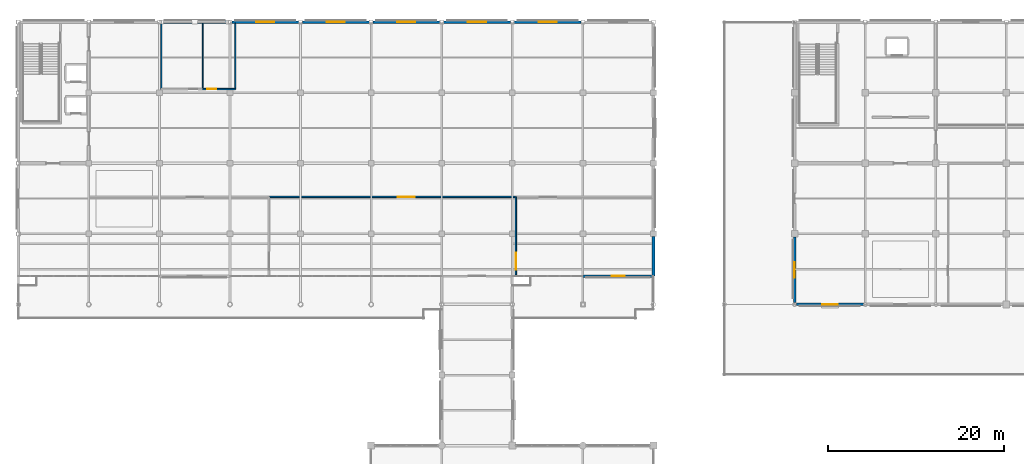
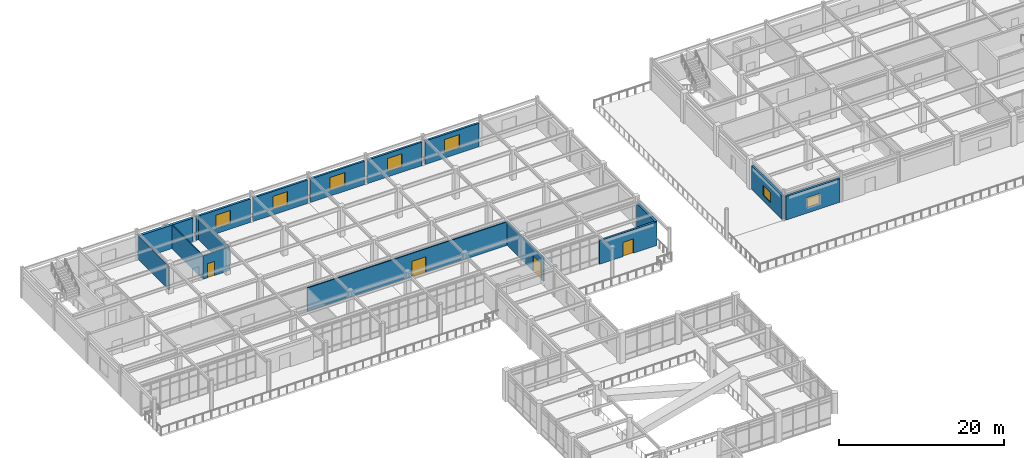
# One storey, part 58 of 75: 16 walls, 7 windows, 4 doors, 11 openings.
"""IFC4 building model written with IfcOpenShell, lengths in metres."""

from ifc_helpers import new_model, si_unit, direction, frame, frame_2d, origin, place, context, subcontext, project, spatial, rectangle, extrude, material, layer, layer_set, type_object, element, fill, save


model = new_model("IFC4")

# Units and contexts
model_context = context("Model", 3, precision=1e-05, world=origin(), true_north=direction((0.0, 1.0)))
body_context = subcontext(model_context, "Body", "Model", "MODEL_VIEW")
ifc_project = project(units=[si_unit("LENGTHUNIT", "METRE"), si_unit("AREAUNIT", "SQUARE_METRE"), si_unit("VOLUMEUNIT", "CUBIC_METRE"), si_unit("PLANEANGLEUNIT", "RADIAN"), si_unit("MASSUNIT", "GRAM", prefix="KILO")], contexts=[model_context])

# Site, building, storey
site_placement = place(None, origin())
site = spatial("IfcSite", under=ifc_project, at=site_placement, CompositionType="ELEMENT")
building_placement = place(site_placement, origin())
building = spatial("IfcBuilding", under=site, at=building_placement, Name="Solmirada Galleria", CompositionType="ELEMENT")
storey_placement = place(building_placement, frame((0.0, 0.0, 19.39990234375)))
storey = spatial("IfcBuildingStorey", under=building, at=storey_placement, Name="L04", CompositionType="ELEMENT", Elevation=19.39990234375)

# Wall, opening, window
ifc_material_1 = material(Name="Precast concrete C40/50", Category="concrete")
ifc_layer_1 = layer(ifc_material_1, 0.2900390625)
ifc_layer_set_1 = layer_set([ifc_layer_1], Name="Precast concrete C40/50")
wall_type_1 = type_object("IfcWallType", Name="WL-EXT-290", PredefinedType="STANDARD", material=ifc_layer_set_1)
wall_1_placement = place(storey_placement, frame((64.202880859375, 120.0, 0.0), z_axis=(0.0, 0.0, 1.0), x_axis=(1.0, 0.0, 0.0)))
wall_1 = element("IfcWall", 1, at=wall_1_placement, inside=storey, type_object=wall_type_1, Name="Exterior wall L04 bay 025", PredefinedType="STANDARD", context=body_context, shape_type="SweptSolid", body=[
    extrude(rectangle(XDim=7.59423828125, YDim=0.2900390625, at=frame_2d((3.797119140625, 0.0))), origin(), (0.0, 0.0, 1.0), 3.47998046875),
])
opening_1_placement = place(wall_1_placement, frame((2.77197265625, 0.0, 0.800048828125)))
opening_1 = element("IfcOpeningElement", 2, at=opening_1_placement, cuts=wall_1, Name="Opening WN4", PredefinedType="OPENING", context=body_context, shape_type="SweptSolid", body=[
    extrude(rectangle(XDim=2.050048828125, YDim=1.949951171875, at=frame_2d((1.02490234375, 0.97509765625))), frame((0.0, 0.155029296875, 0.0), z_axis=(0.0, -1.0, 0.0), x_axis=(1.0, 0.0, 0.0)), (0.0, 0.0, 1.0), 0.31005859375),
])
ifc_material_2 = material(Name="Impact-resistant low-E double glazing", Category="glass")
window_type_1 = type_object("IfcWindowType", Name="WIN-AVE-205X195", PartitioningType="DOUBLE_PANEL_VERTICAL", PredefinedType="WINDOW", material=ifc_material_2)
window_1_placement = place(opening_1_placement, origin())
window_1 = element("IfcWindow", 3, at=window_1_placement, inside=storey, type_object=window_type_1, Name="Window L04-119", OverallHeight=1.949951171875, OverallWidth=2.050048828125, PartitioningType="DOUBLE_PANEL_VERTICAL", PredefinedType="WINDOW", context=body_context, shape_type="SweptSolid", body=[
    extrude(rectangle(XDim=2.050048828125, YDim=1.949951171875, at=frame_2d((1.02490234375, 0.97509765625))), frame((0.0, 0.030029296875, 0.0), z_axis=(0.0, -1.0, 0.0), x_axis=(1.0, 0.0, 0.0)), (0.0, 0.0, 1.0), 0.06005859375),
])
fill(opening_1, window_1)

wall_2_placement = place(storey_placement, frame((72.202880859375, 120.0, 0.0), z_axis=(0.0, 0.0, 1.0), x_axis=(1.0, 0.0, 0.0)))
wall_2 = element("IfcWall", 4, at=wall_2_placement, inside=storey, type_object=wall_type_1, Name="Exterior wall L04 bay 026", PredefinedType="STANDARD", context=body_context, shape_type="SweptSolid", body=[
    extrude(rectangle(XDim=7.59423828125, YDim=0.2900390625, at=frame_2d((3.797119140625, 0.0))), origin(), (0.0, 0.0, 1.0), 3.47998046875),
])
opening_2_placement = place(wall_2_placement, frame((2.77197265625, 0.0, 0.800048828125)))
opening_2 = element("IfcOpeningElement", 5, at=opening_2_placement, cuts=wall_2, Name="Opening WN4", PredefinedType="OPENING", context=body_context, shape_type="SweptSolid", body=[
    extrude(rectangle(XDim=2.050048828125, YDim=1.949951171875, at=frame_2d((1.02490234375, 0.97509765625))), frame((0.0, 0.155029296875, 0.0), z_axis=(0.0, -1.0, 0.0), x_axis=(1.0, 0.0, 0.0)), (0.0, 0.0, 1.0), 0.31005859375),
])
window_2_placement = place(opening_2_placement, origin())
window_2 = element("IfcWindow", 6, at=window_2_placement, inside=storey, type_object=window_type_1, Name="Window L04-120", OverallHeight=1.949951171875, OverallWidth=2.050048828125, PartitioningType="DOUBLE_PANEL_VERTICAL", PredefinedType="WINDOW", context=body_context, shape_type="SweptSolid", body=[
    extrude(rectangle(XDim=2.050048828125, YDim=1.949951171875, at=frame_2d((1.02490234375, 0.97509765625))), frame((0.0, 0.030029296875, 0.0), z_axis=(0.0, -1.0, 0.0), x_axis=(1.0, 0.0, 0.0)), (0.0, 0.0, 1.0), 0.06005859375),
])
fill(opening_2, window_2)

wall_3_placement = place(storey_placement, frame((80.202880859375, 120.0, 0.0), z_axis=(0.0, 0.0, 1.0), x_axis=(1.0, 0.0, 0.0)))
wall_3 = element("IfcWall", 7, at=wall_3_placement, inside=storey, type_object=wall_type_1, Name="Exterior wall L04 bay 027", PredefinedType="STANDARD", context=body_context, shape_type="SweptSolid", body=[
    extrude(rectangle(XDim=7.59423828125, YDim=0.2900390625, at=frame_2d((3.797119140625, 0.0))), origin(), (0.0, 0.0, 1.0), 3.47998046875),
])
opening_3_placement = place(wall_3_placement, frame((2.77197265625, 0.0, 0.800048828125)))
opening_3 = element("IfcOpeningElement", 8, at=opening_3_placement, cuts=wall_3, Name="Opening WN4", PredefinedType="OPENING", context=body_context, shape_type="SweptSolid", body=[
    extrude(rectangle(XDim=2.050048828125, YDim=1.949951171875, at=frame_2d((1.02490234375, 0.97509765625))), frame((0.0, 0.155029296875, 0.0), z_axis=(0.0, -1.0, 0.0), x_axis=(1.0, 0.0, 0.0)), (0.0, 0.0, 1.0), 0.31005859375),
])
window_3_placement = place(opening_3_placement, origin())
window_3 = element("IfcWindow", 9, at=window_3_placement, inside=storey, type_object=window_type_1, Name="Window L04-121", OverallHeight=1.949951171875, OverallWidth=2.050048828125, PartitioningType="DOUBLE_PANEL_VERTICAL", PredefinedType="WINDOW", context=body_context, shape_type="SweptSolid", body=[
    extrude(rectangle(XDim=2.050048828125, YDim=1.949951171875, at=frame_2d((1.02490234375, 0.97509765625))), frame((0.0, 0.030029296875, 0.0), z_axis=(0.0, -1.0, 0.0), x_axis=(1.0, 0.0, 0.0)), (0.0, 0.0, 1.0), 0.06005859375),
])
fill(opening_3, window_3)

wall_4_placement = place(storey_placement, frame((88.202880859375, 120.0, 0.0), z_axis=(0.0, 0.0, 1.0), x_axis=(1.0, 0.0, 0.0)))
wall_4 = element("IfcWall", 10, at=wall_4_placement, inside=storey, type_object=wall_type_1, Name="Exterior wall L04 bay 028", PredefinedType="STANDARD", context=body_context, shape_type="SweptSolid", body=[
    extrude(rectangle(XDim=7.59423828125, YDim=0.2900390625, at=frame_2d((3.797119140625, 0.0))), origin(), (0.0, 0.0, 1.0), 3.47998046875),
])
opening_4_placement = place(wall_4_placement, frame((2.77197265625, 0.0, 0.800048828125)))
opening_4 = element("IfcOpeningElement", 11, at=opening_4_placement, cuts=wall_4, Name="Opening WN4", PredefinedType="OPENING", context=body_context, shape_type="SweptSolid", body=[
    extrude(rectangle(XDim=2.050048828125, YDim=1.949951171875, at=frame_2d((1.02490234375, 0.97509765625))), frame((0.0, 0.155029296875, 0.0), z_axis=(0.0, -1.0, 0.0), x_axis=(1.0, 0.0, 0.0)), (0.0, 0.0, 1.0), 0.31005859375),
])
window_4_placement = place(opening_4_placement, origin())
window_4 = element("IfcWindow", 12, at=window_4_placement, inside=storey, type_object=window_type_1, Name="Window L04-122", OverallHeight=1.949951171875, OverallWidth=2.050048828125, PartitioningType="DOUBLE_PANEL_VERTICAL", PredefinedType="WINDOW", context=body_context, shape_type="SweptSolid", body=[
    extrude(rectangle(XDim=2.050048828125, YDim=1.949951171875, at=frame_2d((1.02490234375, 0.97509765625))), frame((0.0, 0.030029296875, 0.0), z_axis=(0.0, -1.0, 0.0), x_axis=(1.0, 0.0, 0.0)), (0.0, 0.0, 1.0), 0.06005859375),
])
fill(opening_4, window_4)

wall_5_placement = place(storey_placement, frame((96.202880859375, 120.0, 0.0), z_axis=(0.0, 0.0, 1.0), x_axis=(1.0, 0.0, 0.0)))
wall_5 = element("IfcWall", 13, at=wall_5_placement, inside=storey, type_object=wall_type_1, Name="Exterior wall L04 bay 029", PredefinedType="STANDARD", context=body_context, shape_type="SweptSolid", body=[
    extrude(rectangle(XDim=7.59423828125, YDim=0.2900390625, at=frame_2d((3.797119140625, 0.0))), origin(), (0.0, 0.0, 1.0), 3.47998046875),
])
opening_5_placement = place(wall_5_placement, frame((2.77197265625, 0.0, 0.800048828125)))
opening_5 = element("IfcOpeningElement", 14, at=opening_5_placement, cuts=wall_5, Name="Opening WN4", PredefinedType="OPENING", context=body_context, shape_type="SweptSolid", body=[
    extrude(rectangle(XDim=2.050048828125, YDim=1.949951171875, at=frame_2d((1.02490234375, 0.97509765625))), frame((0.0, 0.155029296875, 0.0), z_axis=(0.0, -1.0, 0.0), x_axis=(1.0, 0.0, 0.0)), (0.0, 0.0, 1.0), 0.31005859375),
])
window_5_placement = place(opening_5_placement, origin())
window_5 = element("IfcWindow", 15, at=window_5_placement, inside=storey, type_object=window_type_1, Name="Window L04-123", OverallHeight=1.949951171875, OverallWidth=2.050048828125, PartitioningType="DOUBLE_PANEL_VERTICAL", PredefinedType="WINDOW", context=body_context, shape_type="SweptSolid", body=[
    extrude(rectangle(XDim=2.050048828125, YDim=1.949951171875, at=frame_2d((1.02490234375, 0.97509765625))), frame((0.0, 0.030029296875, 0.0), z_axis=(0.0, -1.0, 0.0), x_axis=(1.0, 0.0, 0.0)), (0.0, 0.0, 1.0), 0.06005859375),
])
fill(opening_5, window_5)

# Wall
wall_6_placement = place(storey_placement, frame((112.0, 95.675048828125, 0.0), z_axis=(0.0, 0.0, 1.0), x_axis=(0.0, -1.0, 0.0)))
element("IfcWall", 16, at=wall_6_placement, inside=storey, type_object=wall_type_1, Name="Exterior wall L04 bay 034", PredefinedType="STANDARD", context=body_context, shape_type="SweptSolid", body=[
    extrude(rectangle(XDim=4.47509765625, YDim=0.2900390625, at=frame_2d((2.237548828125, 0.0))), origin(), (0.0, 0.0, 1.0), 3.47998046875),
])

# Wall, opening, door
wall_7_placement = place(storey_placement, frame((112.0, 91.199951171875, 0.0), z_axis=(0.0, 0.0, 1.0), x_axis=(-1.0, 0.0, 0.0)))
wall_7 = element("IfcWall", 17, at=wall_7_placement, inside=storey, type_object=wall_type_1, Name="Exterior wall L04 bay 035", PredefinedType="STANDARD", context=body_context, shape_type="SweptSolid", body=[
    extrude(rectangle(XDim=8.0, YDim=0.2900390625, at=frame_2d((4.0, 0.0))), origin(), (0.0, 0.0, 1.0), 3.47998046875),
])
opening_6_placement = place(wall_7_placement, frame((3.27490234375, 0.0, 0.0)))
opening_6 = element("IfcOpeningElement", 18, at=opening_6_placement, cuts=wall_7, Name="Opening TD-071", PredefinedType="OPENING", context=body_context, shape_type="SweptSolid", body=[
    extrude(rectangle(XDim=1.449951171875, YDim=2.10009765625, at=frame_2d((0.72509765625, 1.050048828125))), frame((0.0, 0.155029296875, 0.0), z_axis=(0.0, -1.0, 0.0), x_axis=(1.0, 0.0, 0.0)), (0.0, 0.0, 1.0), 0.31005859375),
])
ifc_material_3 = material(Name="Thermally broken aluminium and laminated glass door", Category="aluminium")
door_type_1 = type_object("IfcDoorType", Name="DR-TERR-145X210", OperationType="DOUBLE_DOOR_SINGLE_SWING", PredefinedType="DOOR", material=ifc_material_3)
door_1_placement = place(opening_6_placement, origin())
door_1 = element("IfcDoor", 19, at=door_1_placement, inside=storey, type_object=door_type_1, Name="Planted terrace access door TD-071", OperationType="DOUBLE_DOOR_SINGLE_SWING", OverallHeight=2.10009765625, OverallWidth=1.449951171875, PredefinedType="DOOR", context=body_context, shape_type="SweptSolid", body=[
    extrude(rectangle(XDim=1.449951171875, YDim=2.10009765625, at=frame_2d((0.72509765625, 1.050048828125))), frame((0.0, 0.02490234375, 0.0), z_axis=(0.0, -1.0, 0.0), x_axis=(1.0, 0.0, 0.0)), (0.0, 0.0, 1.0), 0.050048828125),
])
fill(opening_6, door_1)

# Wall, opening, window
wall_8_placement = place(storey_placement, frame((135.797119140625, 88.0, 0.0), z_axis=(0.0, 0.0, 1.0), x_axis=(-1.0, 0.0, 0.0)))
wall_8 = element("IfcWall", 20, at=wall_8_placement, inside=storey, type_object=wall_type_1, Name="Exterior wall L04 bay 083", PredefinedType="STANDARD", context=body_context, shape_type="SweptSolid", body=[
    extrude(rectangle(XDim=7.59423828125, YDim=0.2900390625, at=frame_2d((3.797119140625, 0.0))), origin(), (0.0, 0.0, 1.0), 3.47998046875),
])
opening_7_placement = place(wall_8_placement, frame((2.922119140625, 0.0, 0.800048828125)))
opening_7 = element("IfcOpeningElement", 21, at=opening_7_placement, cuts=wall_8, Name="Opening WN13", PredefinedType="OPENING", context=body_context, shape_type="SweptSolid", body=[
    extrude(rectangle(XDim=1.75, YDim=1.5, at=frame_2d((0.875, 0.75))), frame((0.0, 0.155029296875, 0.0), z_axis=(0.0, -1.0, 0.0), x_axis=(1.0, 0.0, 0.0)), (0.0, 0.0, 1.0), 0.31005859375),
])
window_type_2 = type_object("IfcWindowType", Name="WIN-OFF-175X150", PartitioningType="SINGLE_PANEL", PredefinedType="WINDOW", material=ifc_material_2)
window_6_placement = place(opening_7_placement, origin())
window_6 = element("IfcWindow", 22, at=window_6_placement, inside=storey, type_object=window_type_2, Name="Window L04-144", OverallHeight=1.5, OverallWidth=1.75, PartitioningType="SINGLE_PANEL", PredefinedType="WINDOW", context=body_context, shape_type="SweptSolid", body=[
    extrude(rectangle(XDim=1.75, YDim=1.5, at=frame_2d((0.875, 0.75))), frame((0.0, 0.030029296875, 0.0), z_axis=(0.0, -1.0, 0.0), x_axis=(1.0, 0.0, 0.0)), (0.0, 0.0, 1.0), 0.06005859375),
])
fill(opening_7, window_6)

wall_9_placement = place(storey_placement, frame((128.0, 88.202880859375, 0.0), z_axis=(0.0, 0.0, 1.0), x_axis=(0.0, 1.0, 0.0)))
wall_9 = element("IfcWall", 23, at=wall_9_placement, inside=storey, type_object=wall_type_1, Name="Exterior wall L04 bay 084", PredefinedType="STANDARD", context=body_context, shape_type="SweptSolid", body=[
    extrude(rectangle(XDim=7.422119140625, YDim=0.2900390625, at=frame_2d((3.7109375, 0.0))), origin(), (0.0, 0.0, 1.0), 3.47998046875),
])
opening_8_placement = place(wall_9_placement, frame((2.8359375, 0.0, 0.800048828125)))
opening_8 = element("IfcOpeningElement", 24, at=opening_8_placement, cuts=wall_9, Name="Opening WN13", PredefinedType="OPENING", context=body_context, shape_type="SweptSolid", body=[
    extrude(rectangle(XDim=1.75, YDim=1.5, at=frame_2d((0.875, 0.75))), frame((0.0, 0.155029296875, 0.0), z_axis=(0.0, -1.0, 0.0), x_axis=(1.0, 0.0, 0.0)), (0.0, 0.0, 1.0), 0.31005859375),
])
window_7_placement = place(opening_8_placement, origin())
window_7 = element("IfcWindow", 25, at=window_7_placement, inside=storey, type_object=window_type_2, Name="Window L04-145", OverallHeight=1.5, OverallWidth=1.75, PartitioningType="SINGLE_PANEL", PredefinedType="WINDOW", context=body_context, shape_type="SweptSolid", body=[
    extrude(rectangle(XDim=1.75, YDim=1.5, at=frame_2d((0.875, 0.75))), frame((0.0, 0.030029296875, 0.0), z_axis=(0.0, -1.0, 0.0), x_axis=(1.0, 0.0, 0.0)), (0.0, 0.0, 1.0), 0.06005859375),
])
fill(opening_8, window_7)

# Walls
ifc_material_4 = material(Name="Acoustic gypsum board partition")
ifc_layer_2 = layer(ifc_material_4, 0.135009765625)
ifc_layer_set_2 = layer_set([ifc_layer_2], Name="Acoustic gypsum board partition")
wall_type_2 = type_object("IfcWallType", Name="WL-PART-135", PredefinedType="PARTITIONING", material=ifc_layer_set_2)
for number, where, z_axis, x_axis, name in (
    (26, (56.199951171875, 112.39990234375, 0.0), (0.0, 0.0, 1.0), (0.0, 1.0, 0.0), "Partition L04-120 (North WC West)"),
    (27, (60.89990234375, 112.39990234375, 0.0), (0.0, 0.0, 1.0), (0.0, 1.0, 0.0), "Partition L04-121 (North WC Divider)"),
    (28, (64.60009765625, 112.39990234375, 0.0), (0.0, 0.0, 1.0), (0.0, 1.0, 0.0), "Partition L04-122 (North WC East)"),
):
    element("IfcWall", number, at=place(storey_placement, frame(where, z_axis=z_axis, x_axis=x_axis)), inside=storey, type_object=wall_type_2, Name=name, PredefinedType="PARTITIONING", context=body_context, shape_type="SweptSolid", body=[
        extrude(rectangle(XDim=7.4501953125, YDim=0.135009765625, at=frame_2d((3.72509765625, 0.0))), origin(), (0.0, 0.0, 1.0), 3.47998046875),
    ])

# Wall, opening, door
ifc_layer_3 = layer(ifc_material_4, 0.159912109375)
ifc_layer_set_3 = layer_set([ifc_layer_3], Name="Acoustic gypsum board partition")
wall_type_3 = type_object("IfcWallType", Name="WL-PART-160", PredefinedType="PARTITIONING", material=ifc_layer_set_3)
wall_10_placement = place(storey_placement, frame((60.89990234375, 112.39990234375, 0.0), z_axis=(0.0, 0.0, 1.0), x_axis=(1.0, 0.0, 0.0)))
wall_10 = element("IfcWall", 29, at=wall_10_placement, inside=storey, type_object=wall_type_3, Name="Partition L04-119 (North Accessible WC)", PredefinedType="PARTITIONING", context=body_context, shape_type="SweptSolid", body=[
    extrude(rectangle(XDim=3.7001953125, YDim=0.159912109375, at=frame_2d((1.85009765625, 0.0))), origin(), (0.0, 0.0, 1.0), 3.47998046875),
])
opening_9_placement = place(wall_10_placement, frame((0.548095703125, 0.0, 0.0)))
opening_9 = element("IfcOpeningElement", 30, at=opening_9_placement, cuts=wall_10, Name="Opening ID-345", PredefinedType="OPENING", context=body_context, shape_type="SweptSolid", body=[
    extrude(rectangle(XDim=1.02001953125, YDim=2.10009765625, at=frame_2d((0.510009765625, 1.050048828125))), frame((0.0, 0.08984375, 0.0), z_axis=(0.0, -1.0, 0.0), x_axis=(1.0, 0.0, 0.0)), (0.0, 0.0, 1.0), 0.179931640625),
])
ifc_material_5 = material(Name="Architectural hardwood veneer door", Category="wood")
door_type_2 = type_object("IfcDoorType", Name="DR-AWC-102X210", OperationType="NOTDEFINED", PredefinedType="DOOR", material=ifc_material_5)
door_2_placement = place(opening_9_placement, origin())
door_2 = element("IfcDoor", 31, at=door_2_placement, inside=storey, type_object=door_type_2, Name="North Accessible WC door ID-345", OperationType="SINGLE_SWING_LEFT", OverallHeight=2.10009765625, OverallWidth=1.02001953125, PredefinedType="DOOR", context=body_context, shape_type="SweptSolid", body=[
    extrude(rectangle(XDim=1.02001953125, YDim=2.10009765625, at=frame_2d((0.510009765625, 1.050048828125))), frame((0.0, 0.02490234375, 0.0), z_axis=(0.0, -1.0, 0.0), x_axis=(1.0, 0.0, 0.0)), (0.0, 0.0, 1.0), 0.050048828125),
])
fill(opening_9, door_2)

wall_11_placement = place(storey_placement, frame((68.39990234375, 100.199951171875, 0.0), z_axis=(0.0, 0.0, 1.0), x_axis=(1.0, 0.0, 0.0)))
wall_11 = element("IfcWall", 32, at=wall_11_placement, inside=storey, type_object=wall_type_3, Name="Partition L04-124 (North Promenade C L04)", PredefinedType="PARTITIONING", context=body_context, shape_type="SweptSolid", body=[
    extrude(rectangle(XDim=28.0, YDim=0.159912109375, at=frame_2d((14.0, 0.0))), origin(), (0.0, 0.0, 1.0), 3.47998046875),
])
opening_10_placement = place(wall_11_placement, frame((14.637939453125, 0.0, 0.0)))
opening_10 = element("IfcOpeningElement", 33, at=opening_10_placement, cuts=wall_11, Name="Opening ID-347", PredefinedType="OPENING", context=body_context, shape_type="SweptSolid", body=[
    extrude(rectangle(XDim=1.89990234375, YDim=2.300048828125, at=frame_2d((0.949951171875, 1.14990234375))), frame((0.0, 0.08984375, 0.0), z_axis=(0.0, -1.0, 0.0), x_axis=(1.0, 0.0, 0.0)), (0.0, 0.0, 1.0), 0.179931640625),
])
door_type_3 = type_object("IfcDoorType", Name="DR-DEPT-190X230", OperationType="DOUBLE_DOOR_SINGLE_SWING", PredefinedType="DOOR", material=ifc_material_5)
door_3_placement = place(opening_10_placement, origin())
door_3 = element("IfcDoor", 34, at=door_3_placement, inside=storey, type_object=door_type_3, Name="North Promenade C L04 door ID-347", OperationType="DOUBLE_DOOR_SINGLE_SWING", OverallHeight=2.300048828125, OverallWidth=1.89990234375, PredefinedType="DOOR", context=body_context, shape_type="SweptSolid", body=[
    extrude(rectangle(XDim=1.89990234375, YDim=2.300048828125, at=frame_2d((0.949951171875, 1.14990234375))), frame((0.0, 0.02490234375, 0.0), z_axis=(0.0, -1.0, 0.0), x_axis=(1.0, 0.0, 0.0)), (0.0, 0.0, 1.0), 0.050048828125),
])
fill(opening_10, door_3)

wall_12_placement = place(storey_placement, frame((96.39990234375, 91.35009765625, 0.0), z_axis=(0.0, 0.0, 1.0), x_axis=(0.0, 1.0, 0.0)))
wall_12 = element("IfcWall", 35, at=wall_12_placement, inside=storey, type_object=wall_type_3, Name="Partition L04-127 (North Department E L04)", PredefinedType="PARTITIONING", context=body_context, shape_type="SweptSolid", body=[
    extrude(rectangle(XDim=8.849853515625, YDim=0.159912109375, at=frame_2d((4.4248046875, 0.0))), origin(), (0.0, 0.0, 1.0), 3.47998046875),
])
opening_11_placement = place(wall_12_placement, frame((0.60009765625, 0.0, 0.0)))
opening_11 = element("IfcOpeningElement", 36, at=opening_11_placement, cuts=wall_12, Name="Opening ID-350", PredefinedType="OPENING", context=body_context, shape_type="SweptSolid", body=[
    extrude(rectangle(XDim=1.89990234375, YDim=2.300048828125, at=frame_2d((0.949951171875, 1.14990234375))), frame((0.0, 0.08984375, 0.0), z_axis=(0.0, -1.0, 0.0), x_axis=(1.0, 0.0, 0.0)), (0.0, 0.0, 1.0), 0.179931640625),
])
door_4_placement = place(opening_11_placement, origin())
door_4 = element("IfcDoor", 37, at=door_4_placement, inside=storey, type_object=door_type_3, Name="North Department E L04 door ID-350", OperationType="DOUBLE_DOOR_SINGLE_SWING", OverallHeight=2.300048828125, OverallWidth=1.89990234375, PredefinedType="DOOR", context=body_context, shape_type="SweptSolid", body=[
    extrude(rectangle(XDim=1.89990234375, YDim=2.300048828125, at=frame_2d((0.949951171875, 1.14990234375))), frame((0.0, 0.02490234375, 0.0), z_axis=(0.0, -1.0, 0.0), x_axis=(1.0, 0.0, 0.0)), (0.0, 0.0, 1.0), 0.050048828125),
])
fill(opening_11, door_4)

# Wall
ifc_material_6 = material(Name="Architectural concrete masonry C30/37", Category="masonry")
ifc_layer_4 = layer(ifc_material_6, 0.360107421875)
ifc_layer_set_4 = layer_set([ifc_layer_4], Name="Architectural concrete masonry C30/37")
wall_type_4 = type_object("IfcWallType", Name="WL-SOLID-360", PredefinedType="SOLIDWALL", material=ifc_layer_set_4)
wall_13_placement = place(storey_placement, frame((56.202880859375, 120.0, 0.0), z_axis=(0.0, 0.0, 1.0), x_axis=(1.0, 0.0, 0.0)))
element("IfcWall", 38, at=wall_13_placement, inside=storey, type_object=wall_type_4, Name="Exterior wall L04 bay 024", PredefinedType="SOLIDWALL", context=body_context, shape_type="SweptSolid", body=[
    extrude(rectangle(XDim=7.59423828125, YDim=0.360107421875, at=frame_2d((3.797119140625, 0.0))), origin(), (0.0, 0.0, 1.0), 3.47998046875),
])

save(model, "model.ifc")
